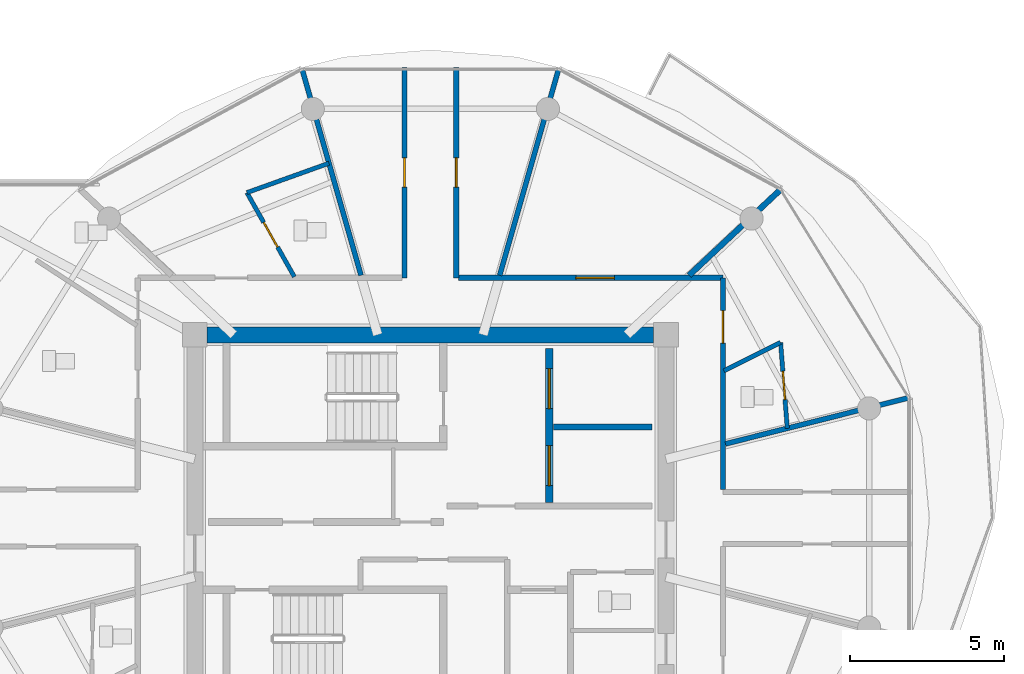
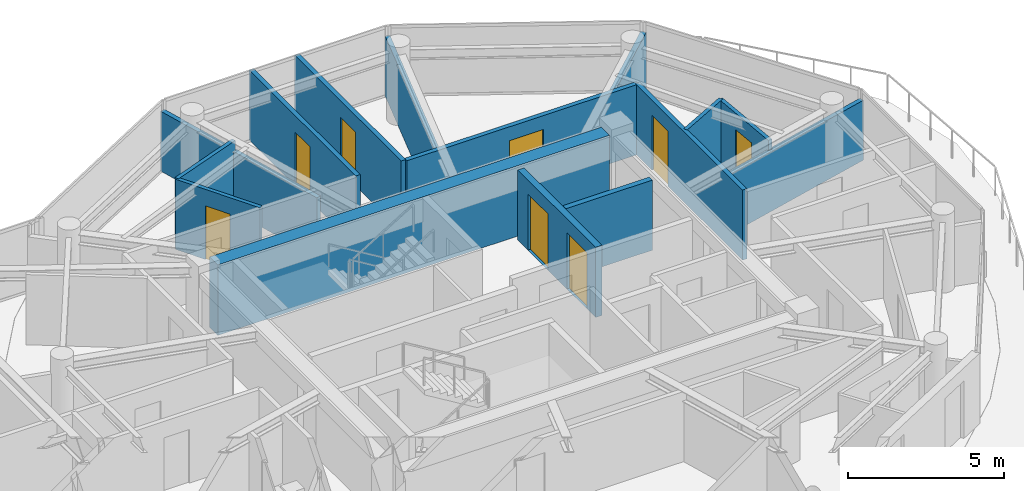
# One storey, part 20 of 26: 15 walls, 8 doors, 8 openings.
"""IFC4 building model written with IfcOpenShell, lengths in metres."""

from ifc_helpers import new_model, si_unit, direction, frame, frame_2d, origin, place, context, subcontext, project, spatial, rectangle, extrude, source, transform, mapped, material, layer, layer_set, type_object, type_shapes, element, fill, save


model = new_model("IFC4")

# Units and contexts
model_context = context("Model", 3, precision=1e-05, world=origin(), true_north=direction((0.0, 1.0)))
body_context = subcontext(model_context, "Body", "Model", "MODEL_VIEW")
ifc_project = project(units=[si_unit("LENGTHUNIT", "METRE"), si_unit("AREAUNIT", "SQUARE_METRE"), si_unit("VOLUMEUNIT", "CUBIC_METRE"), si_unit("PLANEANGLEUNIT", "RADIAN"), si_unit("MASSUNIT", "GRAM", prefix="KILO")], contexts=[model_context])

# Site, building, storey
site_placement = place(None, origin())
site = spatial("IfcSite", under=ifc_project, at=site_placement, CompositionType="ELEMENT")
building_placement = place(site_placement, origin())
building = spatial("IfcBuilding", under=site, at=building_placement, Name="Norrkilde Senior Care Towers", CompositionType="ELEMENT")
storey_placement = place(building_placement, frame((0.0, 0.0, 210.85009765625)))
storey = spatial("IfcBuildingStorey", under=building, at=storey_placement, Name="L65", CompositionType="ELEMENT", Elevation=210.85009765625)

# Walls
ifc_material_1 = material(Name="Concrete C50/60", Category="concrete")
ifc_layer_1 = layer(ifc_material_1, 0.52001953125)
ifc_layer_set_1 = layer_set([ifc_layer_1], Name="Concrete C50/60")
wall_type_1 = type_object("IfcWallType", Name="Core Shear Wall Z4 520", PredefinedType="SHEAR", material=ifc_layer_set_1)
shared_shape_1 = source(origin(), body_context, "Body", "SweptSolid", [
    extrude(rectangle(XDim=14.5, YDim=0.52001953125, at=frame_2d((7.25, 0.0))), origin(), (0.0, 0.0, 1.0), 2.760009765625),
])
type_shapes(wall_type_1, [shared_shape_1])
wall_1_placement = place(storey_placement, frame((20.75, 5.949951171875, 0.0), z_axis=(0.0, 0.0, 1.0), x_axis=(1.0, 0.0, 0.0)))
element("IfcWall", 1, at=wall_1_placement, inside=storey, type_object=wall_type_1, Name="L65 Core E North Shear Wall", PredefinedType="SHEAR", context=body_context, shape_type="MappedRepresentation", body=[
    mapped(shared_shape_1, transform((0.0, 0.0, 0.0), x_axis=(1.0, 0.0, 0.0), y_axis=(0.0, 1.0, 0.0), z_axis=(0.0, 0.0, 1.0), scale=1.0)),
])
ifc_material_2 = material(Name="Gypsum Acoustic Board")
ifc_layer_2 = layer(ifc_material_2, 0.1650390625)
ifc_layer_set_2 = layer_set([ifc_layer_2], Name="Gypsum Acoustic Board")
wall_type_2 = type_object("IfcWallType", Name="Corridor Rated Partition 165", PredefinedType="PARTITIONING", material=ifc_layer_set_2)
shared_shape_2 = source(origin(), body_context, "Body", "SweptSolid", [
    extrude(rectangle(XDim=6.973876953125, YDim=0.1650390625, at=frame_2d((3.48681640625, 0.0))), origin(), (0.0, 0.0, 1.0), 2.344970703125),
])
for number, where, z_axis, x_axis, name in (
    (2, (30.251220703125, 7.8798828125, 0.0), (0.0, 0.0, 1.0), (0.274707256801, 0.961527910703, 0.0), "WL-INT-L65-E-DEM-02-0"),
    (3, (25.748779296875, 7.8798828125, 0.0), (0.0, 0.0, 1.0), (-0.274707256801, 0.961527910703, 0.0), "WL-INT-L65-E-DEM-03-0"),
):
    element("IfcWall", number, at=place(storey_placement, frame(where, z_axis=z_axis, x_axis=x_axis)), inside=storey, type_object=wall_type_2, Name=name, PredefinedType="PARTITIONING", context=body_context, shape_type="MappedRepresentation", body=[
        mapped(shared_shape_2, transform((0.0, 0.0, 0.0), x_axis=(1.0, 0.0, 0.0), y_axis=(0.0, 1.0, 0.0), z_axis=(0.0, 0.0, 1.0), scale=1.0)),
    ])
shared_shape_3 = source(origin(), body_context, "Body", "SweptSolid", [
    extrude(rectangle(XDim=6.1572265625, YDim=0.1650390625, at=frame_2d((3.07861328125, 0.0))), origin(), (0.0, 0.0, 1.0), 2.344970703125),
])
wall_2_placement = place(storey_placement, frame((37.580078125, 2.407470703125, 0.0), z_axis=(0.0, 0.0, 1.0), x_axis=(0.969840867184, 0.243738984038, 0.0)))
element("IfcWall", 4, at=wall_2_placement, inside=storey, type_object=wall_type_2, Name="WL-INT-L65-E-DEM-00-0", PredefinedType="PARTITIONING", context=body_context, shape_type="MappedRepresentation", body=[
    mapped(shared_shape_3, transform((0.0, 0.0, 0.0), x_axis=(1.0, 0.0, 0.0), y_axis=(0.0, 1.0, 0.0), z_axis=(0.0, 0.0, 1.0), scale=1.0)),
])
ifc_layer_3 = layer(ifc_material_2, 0.18994140625)
ifc_layer_set_3 = layer_set([ifc_layer_3], Name="Gypsum Acoustic Board")
wall_type_3 = type_object("IfcWallType", Name="Unit Demising Acoustic Wall 190", PredefinedType="PARTITIONING", material=ifc_layer_set_3)
shared_shape_4 = source(origin(), body_context, "Body", "SweptSolid", [
    extrude(rectangle(XDim=4.089111328125, YDim=0.18994140625, at=frame_2d((2.04443359375, 0.0))), origin(), (0.0, 0.0, 1.0), 2.344970703125),
])
type_shapes(wall_type_3, [shared_shape_4])
wall_3_placement = place(storey_placement, frame((36.40185546875, 7.8798828125, 0.0), z_axis=(0.0, 0.0, 1.0), x_axis=(0.729401273609, 0.684086092577, 0.0)))
element("IfcWall", 5, at=wall_3_placement, inside=storey, type_object=wall_type_3, Name="WL-INT-L65-E-DEM-01-0", PredefinedType="PARTITIONING", context=body_context, shape_type="MappedRepresentation", body=[
    mapped(shared_shape_4, transform((0.0, 0.0, 0.0), x_axis=(1.0, 0.0, 0.0), y_axis=(0.0, 1.0, 0.0), z_axis=(0.0, 0.0, 1.0), scale=1.0)),
])

# Wall, openings, doors
ifc_material_3 = material(Name="Concrete C45/55", Category="concrete")
ifc_layer_4 = layer(ifc_material_3, 0.239990234375)
ifc_layer_set_4 = layer_set([ifc_layer_4], Name="Concrete C45/55")
wall_type_4 = type_object("IfcWallType", Name="Lift and Plant Rated Enclosure Partition 240", PredefinedType="PARTITIONING", material=ifc_layer_set_4)
shared_shape_5 = source(origin(), body_context, "Body", "SweptSolid", [
    extrude(rectangle(XDim=5.0, YDim=0.239990234375, at=frame_2d((2.5, 0.0))), origin(), (0.0, 0.0, 1.0), 2.744873046875),
])
type_shapes(wall_type_4, [shared_shape_5])
wall_4_placement = place(storey_placement, frame((31.860107421875, 0.5, 0.0), z_axis=(0.0, 0.0, 1.0), x_axis=(0.0, 1.0, 0.0)))
wall_4 = element("IfcWall", 6, at=wall_4_placement, inside=storey, type_object=wall_type_4, Name="WL-INT-L65-E-FFLE", PredefinedType="PARTITIONING", context=body_context, shape_type="MappedRepresentation", body=[
    mapped(shared_shape_5, transform((0.0, 0.0, 0.0), x_axis=(1.0, 0.0, 0.0), y_axis=(0.0, 1.0, 0.0), z_axis=(0.0, 0.0, 1.0), scale=1.0)),
])
opening_1_placement = place(wall_4_placement, frame((3.050048828125, 0.0, 0.0)))
opening_1 = element("IfcOpeningElement", 7, at=opening_1_placement, cuts=wall_4, Name="Opening LD-02", PredefinedType="OPENING", context=body_context, shape_type="SweptSolid", body=[
    extrude(rectangle(XDim=1.300048828125, YDim=2.199951171875, at=frame_2d((0.64990234375, 1.10009765625))), frame((0.0, 0.1298828125, 0.0), z_axis=(0.0, -1.0, 0.0), x_axis=(1.0, 0.0, 0.0)), (0.0, 0.0, 1.0), 0.260009765625),
])
opening_2_placement = place(wall_4_placement, frame((0.550048828125, 0.0, 0.0)))
opening_2 = element("IfcOpeningElement", 8, at=opening_2_placement, cuts=wall_4, Name="Opening LD-02", PredefinedType="OPENING", context=body_context, shape_type="SweptSolid", body=[
    extrude(rectangle(XDim=1.300048828125, YDim=2.199951171875, at=frame_2d((0.64990234375, 1.10009765625))), frame((0.0, 0.1298828125, 0.0), z_axis=(0.0, -1.0, 0.0), x_axis=(1.0, 0.0, 0.0)), (0.0, 0.0, 1.0), 0.260009765625),
])
ifc_material_4 = material(Name="Stainless Steel", Category="steel")
door_type_1 = type_object("IfcDoorType", Name="Stretcher and FFL Landing Sliding Door 1300x2200", OperationType="NOTDEFINED", PredefinedType="DOOR", material=ifc_material_4)
shared_shape_6 = source(origin(), body_context, "Body", "SweptSolid", [
    extrude(rectangle(XDim=1.300048828125, YDim=2.199951171875, at=frame_2d((0.64990234375, 1.10009765625))), frame((0.0, 0.02490234375, 0.0), z_axis=(0.0, -1.0, 0.0), x_axis=(1.0, 0.0, 0.0)), (0.0, 0.0, 1.0), 0.050048828125),
])
type_shapes(door_type_1, [shared_shape_6])
door_1_placement = place(opening_1_placement, origin())
door_1 = element("IfcDoor", 9, at=door_1_placement, inside=storey, type_object=door_type_1, Name="L65 Firefighting Lift E1 Landing Door", OperationType="SLIDING_TO_LEFT", OverallHeight=2.199951171875, OverallWidth=1.300048828125, PredefinedType="DOOR", context=body_context, shape_type="MappedRepresentation", body=[
    mapped(shared_shape_6, transform((0.0, 0.0, 0.0), x_axis=(1.0, 0.0, 0.0), y_axis=(0.0, 1.0, 0.0), z_axis=(0.0, 0.0, 1.0), scale=1.0)),
])
fill(opening_1, door_1)
door_2_placement = place(opening_2_placement, origin())
door_2 = element("IfcDoor", 10, at=door_2_placement, inside=storey, type_object=door_type_1, Name="L65 Stretcher Lift E1 Landing Door", OperationType="SLIDING_TO_RIGHT", OverallHeight=2.199951171875, OverallWidth=1.300048828125, PredefinedType="DOOR", context=body_context, shape_type="MappedRepresentation", body=[
    mapped(shared_shape_6, transform((0.0, 0.0, 0.0), x_axis=(1.0, 0.0, 0.0), y_axis=(0.0, 1.0, 0.0), z_axis=(0.0, 0.0, 1.0), scale=1.0)),
])
fill(opening_2, door_2)

# Wall
ifc_layer_5 = layer(ifc_material_3, 0.199951171875)
ifc_layer_set_5 = layer_set([ifc_layer_5], Name="Concrete C45/55")
wall_type_5 = type_object("IfcWallType", Name="Shaft Division and Plant Partition 200", PredefinedType="PARTITIONING", material=ifc_layer_set_5)
shared_shape_7 = source(origin(), body_context, "Body", "SweptSolid", [
    extrude(rectangle(XDim=3.199951171875, YDim=0.199951171875, at=frame_2d((1.60009765625, 0.0))), origin(), (0.0, 0.0, 1.0), 2.744873046875),
])
type_shapes(wall_type_5, [shared_shape_7])
wall_5_placement = place(storey_placement, frame((32.0, 2.949951171875, 0.0), z_axis=(0.0, 0.0, 1.0), x_axis=(1.0, 0.0, 0.0)))
element("IfcWall", 11, at=wall_5_placement, inside=storey, type_object=wall_type_5, Name="WL-INT-L65-E-FFLDIV", PredefinedType="PARTITIONING", context=body_context, shape_type="MappedRepresentation", body=[
    mapped(shared_shape_7, transform((0.0, 0.0, 0.0), x_axis=(1.0, 0.0, 0.0), y_axis=(0.0, 1.0, 0.0), z_axis=(0.0, 0.0, 1.0), scale=1.0)),
])

# Wall, opening, door
shared_shape_8 = source(origin(), body_context, "Body", "SweptSolid", [
    extrude(rectangle(XDim=8.580078125, YDim=0.1650390625, at=frame_2d((4.2900390625, 0.0))), origin(), (0.0, 0.0, 1.0), 2.744873046875),
])
wall_6_placement = place(storey_placement, frame((28.919921875, 7.800048828125, 0.0), z_axis=(0.0, 0.0, 1.0), x_axis=(1.0, 0.0, 0.0)))
wall_6 = element("IfcWall", 12, at=wall_6_placement, inside=storey, type_object=wall_type_2, Name="WL-INT-L65-E-CRW-N-1", PredefinedType="PARTITIONING", context=body_context, shape_type="MappedRepresentation", body=[
    mapped(shared_shape_8, transform((0.0, 0.0, 0.0), x_axis=(1.0, 0.0, 0.0), y_axis=(0.0, 1.0, 0.0), z_axis=(0.0, 0.0, 1.0), scale=1.0)),
])
opening_3_placement = place(wall_6_placement, frame((3.802490234375, 0.0, 0.0)))
opening_3 = element("IfcOpeningElement", 13, at=opening_3_placement, cuts=wall_6, Name="Opening D-05", PredefinedType="OPENING", context=body_context, shape_type="SweptSolid", body=[
    extrude(rectangle(XDim=1.25, YDim=2.199951171875, at=frame_2d((0.625, 1.10009765625))), frame((0.0, 0.092529296875, 0.0), z_axis=(0.0, -1.0, 0.0), x_axis=(1.0, 0.0, 0.0)), (0.0, 0.0, 1.0), 0.18505859375),
])
ifc_material_5 = material(Name="Nordic Ash Timber", Category="wood")
door_type_2 = type_object("IfcDoorType", Name="Care Bedroom Bariatric Door 1250x2200", OperationType="NOTDEFINED", PredefinedType="DOOR", material=ifc_material_5)
shared_shape_9 = source(origin(), body_context, "Body", "SweptSolid", [
    extrude(rectangle(XDim=1.25, YDim=2.199951171875, at=frame_2d((0.625, 1.10009765625))), frame((0.0, 0.02490234375, 0.0), z_axis=(0.0, -1.0, 0.0), x_axis=(1.0, 0.0, 0.0)), (0.0, 0.0, 1.0), 0.050048828125),
])
type_shapes(door_type_2, [shared_shape_9])
door_3_placement = place(opening_3_placement, frame((1.25, 0.0, 0.0), z_axis=(0.0, 0.0, 1.0), x_axis=(-1.0, 0.0, 0.0)))
door_3 = element("IfcDoor", 14, at=door_3_placement, inside=storey, type_object=door_type_2, Name="L65 Senior Wellness Library Lounge Door", OperationType="SINGLE_SWING_RIGHT", OverallHeight=2.199951171875, OverallWidth=1.25, PredefinedType="DOOR", context=body_context, shape_type="MappedRepresentation", body=[
    mapped(shared_shape_9, transform((0.0, 0.0, 0.0), x_axis=(1.0, 0.0, 0.0), y_axis=(0.0, 1.0, 0.0), z_axis=(0.0, 0.0, 1.0), scale=1.0)),
])
fill(opening_3, door_3)

shared_shape_10 = source(origin(), body_context, "Body", "SweptSolid", [
    extrude(rectangle(XDim=6.880126953125, YDim=0.1650390625, at=frame_2d((3.43994140625, 0.0))), origin(), (0.0, 0.0, 1.0), 2.744873046875),
])
wall_7_placement = place(storey_placement, frame((37.5, 7.800048828125, 0.0), z_axis=(0.0, 0.0, 1.0), x_axis=(0.0, -1.0, 0.0)))
wall_7 = element("IfcWall", 15, at=wall_7_placement, inside=storey, type_object=wall_type_2, Name="WL-INT-L65-E-CRW-E-0", PredefinedType="PARTITIONING", context=body_context, shape_type="MappedRepresentation", body=[
    mapped(shared_shape_10, transform((0.0, 0.0, 0.0), x_axis=(1.0, 0.0, 0.0), y_axis=(0.0, 1.0, 0.0), z_axis=(0.0, 0.0, 1.0), scale=1.0)),
])
opening_4_placement = place(wall_7_placement, frame((1.068115234375, 0.0, 0.0)))
opening_4 = element("IfcOpeningElement", 16, at=opening_4_placement, cuts=wall_7, Name="Opening D-06", PredefinedType="OPENING", context=body_context, shape_type="SweptSolid", body=[
    extrude(rectangle(XDim=1.050048828125, YDim=2.14990234375, at=frame_2d((0.52490234375, 1.074951171875))), frame((0.0, 0.092529296875, 0.0), z_axis=(0.0, -1.0, 0.0), x_axis=(1.0, 0.0, 0.0)), (0.0, 0.0, 1.0), 0.18505859375),
])
door_type_3 = type_object("IfcDoorType", Name="Apartment Entrance Fire Door 1050x2150", OperationType="NOTDEFINED", PredefinedType="DOOR", material=ifc_material_5)
shared_shape_11 = source(origin(), body_context, "Body", "SweptSolid", [
    extrude(rectangle(XDim=1.050048828125, YDim=2.14990234375, at=frame_2d((0.52490234375, 1.074951171875))), frame((0.0, 0.02490234375, 0.0), z_axis=(0.0, -1.0, 0.0), x_axis=(1.0, 0.0, 0.0)), (0.0, 0.0, 1.0), 0.050048828125),
])
type_shapes(door_type_3, [shared_shape_11])
door_4_placement = place(opening_4_placement, frame((1.050048828125, 0.0, 0.0), z_axis=(0.0, 0.0, 1.0), x_axis=(-1.0, 0.0, 0.0)))
door_4 = element("IfcDoor", 17, at=door_4_placement, inside=storey, type_object=door_type_3, Name="L65 Studio 65A Entrance Door", OperationType="SINGLE_SWING_LEFT", OverallHeight=2.14990234375, OverallWidth=1.050048828125, PredefinedType="DOOR", context=body_context, shape_type="MappedRepresentation", body=[
    mapped(shared_shape_11, transform((0.0, 0.0, 0.0), x_axis=(1.0, 0.0, 0.0), y_axis=(0.0, 1.0, 0.0), z_axis=(0.0, 0.0, 1.0), scale=1.0)),
])
fill(opening_4, door_4)

shared_shape_12 = source(origin(), body_context, "Body", "SweptSolid", [
    extrude(rectangle(XDim=6.83544921875, YDim=0.1650390625, at=frame_2d((3.417724609375, 0.0))), origin(), (0.0, 0.0, 1.0), 2.744873046875),
])
type_shapes(wall_type_2, [shared_shape_2, shared_shape_3, shared_shape_8, shared_shape_10, shared_shape_12])
wall_8_placement = place(storey_placement, frame((27.159912109375, 7.800048828125, 0.0), z_axis=(0.0, 0.0, 1.0), x_axis=(0.0, 1.0, 0.0)))
wall_8 = element("IfcWall", 18, at=wall_8_placement, inside=storey, type_object=wall_type_2, Name="WL-INT-L65-E-SPK-N1-0", PredefinedType="PARTITIONING", context=body_context, shape_type="MappedRepresentation", body=[
    mapped(shared_shape_12, transform((0.0, 0.0, 0.0), x_axis=(1.0, 0.0, 0.0), y_axis=(0.0, 1.0, 0.0), z_axis=(0.0, 0.0, 1.0), scale=1.0)),
])
opening_5_placement = place(wall_8_placement, frame((2.942626953125, 0.0, 0.0)))
opening_5 = element("IfcOpeningElement", 19, at=opening_5_placement, cuts=wall_8, Name="Opening D-07", PredefinedType="OPENING", context=body_context, shape_type="SweptSolid", body=[
    extrude(rectangle(XDim=0.949951171875, YDim=2.10009765625, at=frame_2d((0.47509765625, 1.050048828125))), frame((0.0, 0.092529296875, 0.0), z_axis=(0.0, -1.0, 0.0), x_axis=(1.0, 0.0, 0.0)), (0.0, 0.0, 1.0), 0.18505859375),
])
door_type_4 = type_object("IfcDoorType", Name="Internal Suite Bedroom Door 950x2100", OperationType="NOTDEFINED", PredefinedType="DOOR", material=ifc_material_5)
shared_shape_13 = source(origin(), body_context, "Body", "SweptSolid", [
    extrude(rectangle(XDim=0.949951171875, YDim=2.10009765625, at=frame_2d((0.47509765625, 1.050048828125))), frame((0.0, 0.02490234375, 0.0), z_axis=(0.0, -1.0, 0.0), x_axis=(1.0, 0.0, 0.0)), (0.0, 0.0, 1.0), 0.050048828125),
])
type_shapes(door_type_4, [shared_shape_13])
door_5_placement = place(opening_5_placement, frame((0.949951171875, 0.0, 0.0), z_axis=(0.0, 0.0, 1.0), x_axis=(-1.0, 0.0, 0.0)))
door_5 = element("IfcDoor", 20, at=door_5_placement, inside=storey, type_object=door_type_4, Name="L65 Sun Reading Lounge 3 Door", OperationType="SINGLE_SWING_RIGHT", OverallHeight=2.10009765625, OverallWidth=0.949951171875, PredefinedType="DOOR", context=body_context, shape_type="MappedRepresentation", body=[
    mapped(shared_shape_13, transform((0.0, 0.0, 0.0), x_axis=(1.0, 0.0, 0.0), y_axis=(0.0, 1.0, 0.0), z_axis=(0.0, 0.0, 1.0), scale=1.0)),
])
fill(opening_5, door_5)

wall_9_placement = place(storey_placement, frame((28.840087890625, 14.635498046875, 0.0), z_axis=(0.0, 0.0, 1.0), x_axis=(0.0, -1.0, 0.0)))
wall_9 = element("IfcWall", 21, at=wall_9_placement, inside=storey, type_object=wall_type_2, Name="WL-INT-L65-E-SPK-N2-0", PredefinedType="PARTITIONING", context=body_context, shape_type="MappedRepresentation", body=[
    mapped(shared_shape_12, transform((0.0, 0.0, 0.0), x_axis=(1.0, 0.0, 0.0), y_axis=(0.0, 1.0, 0.0), z_axis=(0.0, 0.0, 1.0), scale=1.0)),
])
opening_6_placement = place(wall_9_placement, frame((2.942626953125, 0.0, 0.0)))
opening_6 = element("IfcOpeningElement", 22, at=opening_6_placement, cuts=wall_9, Name="Opening D-07", PredefinedType="OPENING", context=body_context, shape_type="SweptSolid", body=[
    extrude(rectangle(XDim=0.949951171875, YDim=2.10009765625, at=frame_2d((0.47509765625, 1.050048828125))), frame((0.0, 0.092529296875, 0.0), z_axis=(0.0, -1.0, 0.0), x_axis=(1.0, 0.0, 0.0)), (0.0, 0.0, 1.0), 0.18505859375),
])
door_6_placement = place(opening_6_placement, frame((0.949951171875, 0.0, 0.0), z_axis=(0.0, 0.0, 1.0), x_axis=(-1.0, 0.0, 0.0)))
door_6 = element("IfcDoor", 23, at=door_6_placement, inside=storey, type_object=door_type_4, Name="L65 Sun Reading Lounge 4 Door", OperationType="SINGLE_SWING_LEFT", OverallHeight=2.10009765625, OverallWidth=0.949951171875, PredefinedType="DOOR", context=body_context, shape_type="MappedRepresentation", body=[
    mapped(shared_shape_13, transform((0.0, 0.0, 0.0), x_axis=(1.0, 0.0, 0.0), y_axis=(0.0, 1.0, 0.0), z_axis=(0.0, 0.0, 1.0), scale=1.0)),
])
fill(opening_6, door_6)

# Wall
ifc_layer_6 = layer(ifc_material_2, 0.139892578125)
ifc_layer_set_6 = layer_set([ifc_layer_6], Name="Gypsum Acoustic Board")
wall_type_6 = type_object("IfcWallType", Name="En-suite Wet Room Wall 140", PredefinedType="PARTITIONING", material=ifc_layer_set_6)
shared_shape_14 = source(origin(), body_context, "Body", "SweptSolid", [
    extrude(rectangle(XDim=2.059814453125, YDim=0.139892578125, at=frame_2d((1.02978515625, 0.0))), origin(), (0.0, 0.0, 1.0), 2.744873046875),
])
wall_10_placement = place(storey_placement, frame((37.530029296875, 4.7783203125, 0.0), z_axis=(0.0, 0.0, 1.0), x_axis=(0.893952568722, 0.448161583444, 0.0)))
element("IfcWall", 24, at=wall_10_placement, inside=storey, type_object=wall_type_6, Name="WL-INT-L65-E-ES-00", PredefinedType="PARTITIONING", context=body_context, shape_type="MappedRepresentation", body=[
    mapped(shared_shape_14, transform((0.0, 0.0, 0.0), x_axis=(1.0, 0.0, 0.0), y_axis=(0.0, 1.0, 0.0), z_axis=(0.0, 0.0, 1.0), scale=1.0)),
])

# Wall, opening, door
shared_shape_15 = source(origin(), body_context, "Body", "SweptSolid", [
    extrude(rectangle(XDim=2.79833984375, YDim=0.139892578125, at=frame_2d((1.399169921875, 0.0))), origin(), (0.0, 0.0, 1.0), 2.744873046875),
])
wall_11_placement = place(storey_placement, frame((39.371337890625, 5.701416015625, 0.0), z_axis=(0.0, 0.0, 1.0), x_axis=(0.077823984089, -0.996967114553, 0.0)))
wall_11 = element("IfcWall", 25, at=wall_11_placement, inside=storey, type_object=wall_type_6, Name="WL-INT-L65-E-EF-00", PredefinedType="PARTITIONING", context=body_context, shape_type="MappedRepresentation", body=[
    mapped(shared_shape_15, transform((0.0, 0.0, 0.0), x_axis=(1.0, 0.0, 0.0), y_axis=(0.0, 1.0, 0.0), z_axis=(0.0, 0.0, 1.0), scale=1.0)),
])
opening_7_placement = place(wall_11_placement, frame((0.939208984375, 0.0, 0.0)))
opening_7 = element("IfcOpeningElement", 26, at=opening_7_placement, cuts=wall_11, Name="Opening D-08", PredefinedType="OPENING", context=body_context, shape_type="SweptSolid", body=[
    extrude(rectangle(XDim=0.919921875, YDim=2.10009765625, at=frame_2d((0.4599609375, 1.050048828125))), frame((0.0, 0.079833984375, 0.0), z_axis=(0.0, -1.0, 0.0), x_axis=(1.0, 0.0, 0.0)), (0.0, 0.0, 1.0), 0.159912109375),
])
door_type_5 = type_object("IfcDoorType", Name="Accessible Wet Room Door 920x2100", OperationType="NOTDEFINED", PredefinedType="DOOR", material=ifc_material_5)
shared_shape_16 = source(origin(), body_context, "Body", "SweptSolid", [
    extrude(rectangle(XDim=0.919921875, YDim=2.10009765625, at=frame_2d((0.4599609375, 1.050048828125))), frame((0.0, 0.02490234375, 0.0), z_axis=(0.0, -1.0, 0.0), x_axis=(1.0, 0.0, 0.0)), (0.0, 0.0, 1.0), 0.050048828125),
])
type_shapes(door_type_5, [shared_shape_16])
door_7_placement = place(opening_7_placement, origin())
door_7 = element("IfcDoor", 27, at=door_7_placement, inside=storey, type_object=door_type_5, Name="L65 Studio 65A Bathroom Door", OperationType="SINGLE_SWING_RIGHT", OverallHeight=2.10009765625, OverallWidth=0.919921875, PredefinedType="DOOR", context=body_context, shape_type="MappedRepresentation", body=[
    mapped(shared_shape_16, transform((0.0, 0.0, 0.0), x_axis=(1.0, 0.0, 0.0), y_axis=(0.0, 1.0, 0.0), z_axis=(0.0, 0.0, 1.0), scale=1.0)),
])
fill(opening_7, door_7)

shared_shape_17 = source(origin(), body_context, "Body", "SweptSolid", [
    extrude(rectangle(XDim=3.14013671875, YDim=0.139892578125, at=frame_2d((1.570068359375, 0.0))), origin(), (0.0, 0.0, 1.0), 2.744873046875),
])
wall_12_placement = place(storey_placement, frame((23.5849609375, 7.830078125, 0.0), z_axis=(0.0, 0.0, 1.0), x_axis=(-0.491132137966, 0.871085083707, 0.0)))
wall_12 = element("IfcWall", 28, at=wall_12_placement, inside=storey, type_object=wall_type_6, Name="WL-INT-L65-E-ES-03", PredefinedType="PARTITIONING", context=body_context, shape_type="MappedRepresentation", body=[
    mapped(shared_shape_17, transform((0.0, 0.0, 0.0), x_axis=(1.0, 0.0, 0.0), y_axis=(0.0, 1.0, 0.0), z_axis=(0.0, 0.0, 1.0), scale=1.0)),
])
opening_8_placement = place(wall_12_placement, frame((1.110107421875, 0.0, 0.0)))
opening_8 = element("IfcOpeningElement", 29, at=opening_8_placement, cuts=wall_12, Name="Opening D-08", PredefinedType="OPENING", context=body_context, shape_type="SweptSolid", body=[
    extrude(rectangle(XDim=0.919921875, YDim=2.10009765625, at=frame_2d((0.4599609375, 1.050048828125))), frame((0.0, 0.079833984375, 0.0), z_axis=(0.0, -1.0, 0.0), x_axis=(1.0, 0.0, 0.0)), (0.0, 0.0, 1.0), 0.159912109375),
])
door_8_placement = place(opening_8_placement, origin())
door_8 = element("IfcDoor", 30, at=door_8_placement, inside=storey, type_object=door_type_5, Name="L65 Studio 65C Bathroom Door", OperationType="SINGLE_SWING_RIGHT", OverallHeight=2.10009765625, OverallWidth=0.919921875, PredefinedType="DOOR", context=body_context, shape_type="MappedRepresentation", body=[
    mapped(shared_shape_16, transform((0.0, 0.0, 0.0), x_axis=(1.0, 0.0, 0.0), y_axis=(0.0, 1.0, 0.0), z_axis=(0.0, 0.0, 1.0), scale=1.0)),
])
fill(opening_8, door_8)

# Wall
shared_shape_18 = source(origin(), body_context, "Body", "SweptSolid", [
    extrude(rectangle(XDim=2.8310546875, YDim=0.139892578125, at=frame_2d((1.41552734375, 0.0))), origin(), (0.0, 0.0, 1.0), 2.744873046875),
])
type_shapes(wall_type_6, [shared_shape_14, shared_shape_15, shared_shape_17, shared_shape_18])
wall_13_placement = place(storey_placement, frame((22.042724609375, 10.5654296875, 0.0), z_axis=(0.0, 0.0, 1.0), x_axis=(0.941411742535, 0.337259441701, 0.0)))
element("IfcWall", 31, at=wall_13_placement, inside=storey, type_object=wall_type_6, Name="WL-INT-L65-E-EF-03", PredefinedType="PARTITIONING", context=body_context, shape_type="MappedRepresentation", body=[
    mapped(shared_shape_18, transform((0.0, 0.0, 0.0), x_axis=(1.0, 0.0, 0.0), y_axis=(0.0, 1.0, 0.0), z_axis=(0.0, 0.0, 1.0), scale=1.0)),
])

save(model, "model.ifc")
